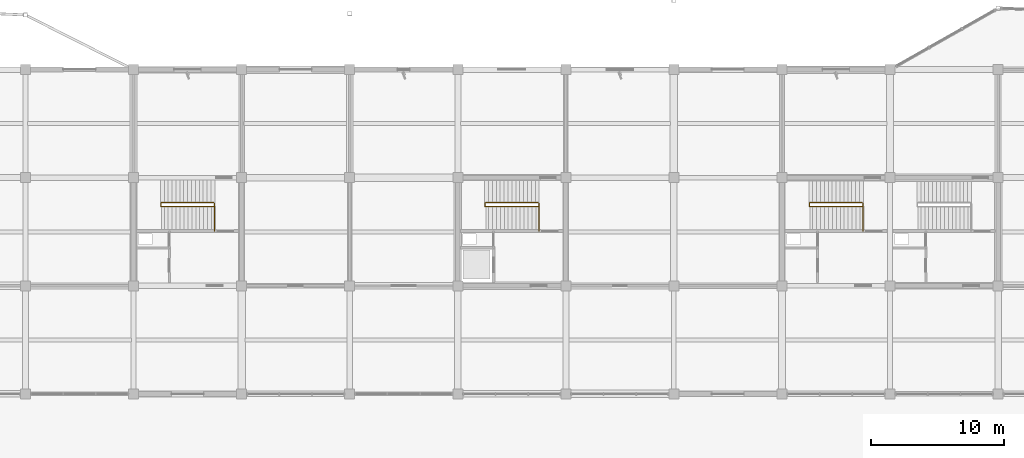
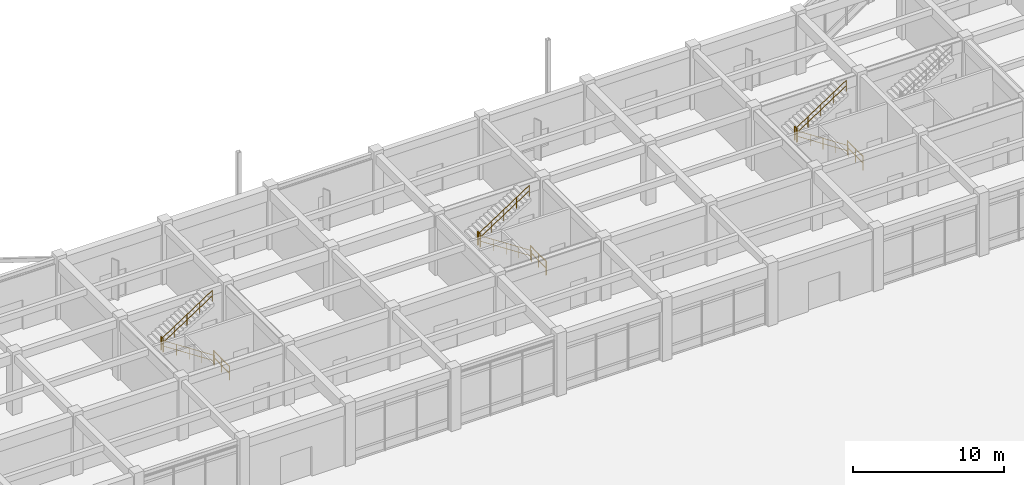
# One storey, part 93 of 99: 12 railings.
"""IFC4 building model written with IfcOpenShell, lengths in metres."""

from ifc_helpers import new_model, si_unit, direction, frame, origin, origin_2d, place, context, subcontext, project, spatial, circle, extrude, material, type_object, element, save


model = new_model("IFC4")

# Units and contexts
model_context = context("Model", 3, precision=1e-05, world=origin(), true_north=direction((0.0, 1.0)))
body_context = subcontext(model_context, "Body", "Model", "MODEL_VIEW")
ifc_project = project(units=[si_unit("LENGTHUNIT", "METRE"), si_unit("AREAUNIT", "SQUARE_METRE"), si_unit("VOLUMEUNIT", "CUBIC_METRE"), si_unit("PLANEANGLEUNIT", "RADIAN"), si_unit("MASSUNIT", "GRAM", prefix="KILO")], contexts=[model_context])

# Site, building, storey
site_placement = place(None, origin())
site = spatial("IfcSite", under=ifc_project, at=site_placement, CompositionType="ELEMENT")
building_placement = place(site_placement, origin())
building = spatial("IfcBuilding", under=site, at=building_placement, Name="Vaudrelin Polytechnic", CompositionType="ELEMENT")
storey_placement = place(building_placement, origin())
storey = spatial("IfcBuildingStorey", under=building, at=storey_placement, Name="L00", CompositionType="ELEMENT", Elevation=0.0)

# Railings
ifc_material = material(Name="Brushed stainless steel AISI 304", Category="steel")
railing_type_1 = type_object("IfcRailingType", Name="RAL-GR-INT", PredefinedType="GUARDRAIL", material=ifc_material)
railing_1_placement = place(storey_placement, frame((87.080078125, 109.409912109375, 0.0)))
element("IfcRailing", 1, at=railing_1_placement, inside=storey, type_object=railing_type_1, Name="ST-02-B1 upper well guardrail", PredefinedType="GUARDRAIL", context=body_context, shape_type="SweptSolid", body=[
    extrude(circle(Radius=0.02392578125, at=origin_2d()), frame((0.0, 0.023193359375, 1.09619140625), z_axis=(0.0, 1.0, 0.0), x_axis=(-1.0, 0.0, 0.0)), (0.0, 0.0, 1.0), 2.02392578125),
    extrude(circle(Radius=0.02392578125, at=origin_2d()), frame((0.0, 0.023193359375, 0.56005859375), z_axis=(0.0, 1.0, 0.0), x_axis=(-1.0, 0.0, 0.0)), (0.0, 0.0, 1.0), 2.02392578125),
    extrude(circle(Radius=0.02099609375, at=origin_2d()), origin(), (0.0, 0.0, 1.0), 1.1201171875),
    extrude(circle(Radius=0.02099609375, at=origin_2d()), frame((0.0, 1.03515625, 0.0)), (0.0, 0.0, 1.0), 1.1201171875),
    extrude(circle(Radius=0.02099609375, at=origin_2d()), frame((0.0, 2.070068359375, 0.0)), (0.0, 0.0, 1.0), 1.1201171875),
])
railing_2_placement = place(storey_placement, frame((83.050048828125, 111.239990234375, 2.550048828125)))
element("IfcRailing", 2, at=railing_2_placement, inside=storey, type_object=railing_type_1, Name="ST-02-L00 landing well guardrail", PredefinedType="GUARDRAIL", context=body_context, shape_type="SweptSolid", body=[
    extrude(circle(Radius=0.02392578125, at=origin_2d()), frame((0.0, 0.023193359375, 1.09619140625), z_axis=(0.0, 1.0, 0.0), x_axis=(-1.0, 0.0, 0.0)), (0.0, 0.0, 1.0), 0.23388671875),
    extrude(circle(Radius=0.02392578125, at=origin_2d()), frame((0.0, 0.023193359375, 0.56005859375), z_axis=(0.0, 1.0, 0.0), x_axis=(-1.0, 0.0, 0.0)), (0.0, 0.0, 1.0), 0.23388671875),
    extrude(circle(Radius=0.02099609375, at=origin_2d()), origin(), (0.0, 0.0, 1.0), 1.1201171875),
    extrude(circle(Radius=0.02099609375, at=origin_2d()), frame((0.0, 0.280029296875, 0.0)), (0.0, 0.0, 1.0), 1.1201171875),
])
railing_3_placement = place(storey_placement, frame((62.780029296875, 109.409912109375, 0.0)))
element("IfcRailing", 3, at=railing_3_placement, inside=storey, type_object=railing_type_1, Name="ST-09-B1 upper well guardrail", PredefinedType="GUARDRAIL", context=body_context, shape_type="SweptSolid", body=[
    extrude(circle(Radius=0.02392578125, at=origin_2d()), frame((0.0, 0.023193359375, 1.09619140625), z_axis=(0.0, 1.0, 0.0), x_axis=(-1.0, 0.0, 0.0)), (0.0, 0.0, 1.0), 2.02392578125),
    extrude(circle(Radius=0.02392578125, at=origin_2d()), frame((0.0, 0.023193359375, 0.56005859375), z_axis=(0.0, 1.0, 0.0), x_axis=(-1.0, 0.0, 0.0)), (0.0, 0.0, 1.0), 2.02392578125),
    extrude(circle(Radius=0.02099609375, at=origin_2d()), origin(), (0.0, 0.0, 1.0), 1.1201171875),
    extrude(circle(Radius=0.02099609375, at=origin_2d()), frame((0.0, 1.03515625, 0.0)), (0.0, 0.0, 1.0), 1.1201171875),
    extrude(circle(Radius=0.02099609375, at=origin_2d()), frame((0.0, 2.070068359375, 0.0)), (0.0, 0.0, 1.0), 1.1201171875),
])
railing_4_placement = place(storey_placement, frame((58.75, 111.239990234375, 2.550048828125)))
element("IfcRailing", 4, at=railing_4_placement, inside=storey, type_object=railing_type_1, Name="ST-09-L00 landing well guardrail", PredefinedType="GUARDRAIL", context=body_context, shape_type="SweptSolid", body=[
    extrude(circle(Radius=0.02392578125, at=origin_2d()), frame((0.0, 0.023193359375, 1.09619140625), z_axis=(0.0, 1.0, 0.0), x_axis=(-1.0, 0.0, 0.0)), (0.0, 0.0, 1.0), 0.23388671875),
    extrude(circle(Radius=0.02392578125, at=origin_2d()), frame((0.0, 0.023193359375, 0.56005859375), z_axis=(0.0, 1.0, 0.0), x_axis=(-1.0, 0.0, 0.0)), (0.0, 0.0, 1.0), 0.23388671875),
    extrude(circle(Radius=0.02099609375, at=origin_2d()), origin(), (0.0, 0.0, 1.0), 1.1201171875),
    extrude(circle(Radius=0.02099609375, at=origin_2d()), frame((0.0, 0.280029296875, 0.0)), (0.0, 0.0, 1.0), 1.1201171875),
])
railing_5_placement = place(storey_placement, frame((111.3798828125, 109.409912109375, 0.0)))
element("IfcRailing", 5, at=railing_5_placement, inside=storey, type_object=railing_type_1, Name="ST-11-B1 upper well guardrail", PredefinedType="GUARDRAIL", context=body_context, shape_type="SweptSolid", body=[
    extrude(circle(Radius=0.02392578125, at=origin_2d()), frame((0.0, 0.023193359375, 1.09619140625), z_axis=(0.0, 1.0, 0.0), x_axis=(-1.0, 0.0, 0.0)), (0.0, 0.0, 1.0), 2.02392578125),
    extrude(circle(Radius=0.02392578125, at=origin_2d()), frame((0.0, 0.023193359375, 0.56005859375), z_axis=(0.0, 1.0, 0.0), x_axis=(-1.0, 0.0, 0.0)), (0.0, 0.0, 1.0), 2.02392578125),
    extrude(circle(Radius=0.02099609375, at=origin_2d()), origin(), (0.0, 0.0, 1.0), 1.1201171875),
    extrude(circle(Radius=0.02099609375, at=origin_2d()), frame((0.0, 1.03515625, 0.0)), (0.0, 0.0, 1.0), 1.1201171875),
    extrude(circle(Radius=0.02099609375, at=origin_2d()), frame((0.0, 2.070068359375, 0.0)), (0.0, 0.0, 1.0), 1.1201171875),
])
railing_6_placement = place(storey_placement, frame((107.35009765625, 111.239990234375, 2.550048828125)))
element("IfcRailing", 6, at=railing_6_placement, inside=storey, type_object=railing_type_1, Name="ST-11-L00 landing well guardrail", PredefinedType="GUARDRAIL", context=body_context, shape_type="SweptSolid", body=[
    extrude(circle(Radius=0.02392578125, at=origin_2d()), frame((0.0, 0.023193359375, 1.09619140625), z_axis=(0.0, 1.0, 0.0), x_axis=(-1.0, 0.0, 0.0)), (0.0, 0.0, 1.0), 0.23388671875),
    extrude(circle(Radius=0.02392578125, at=origin_2d()), frame((0.0, 0.023193359375, 0.56005859375), z_axis=(0.0, 1.0, 0.0), x_axis=(-1.0, 0.0, 0.0)), (0.0, 0.0, 1.0), 0.23388671875),
    extrude(circle(Radius=0.02099609375, at=origin_2d()), origin(), (0.0, 0.0, 1.0), 1.1201171875),
    extrude(circle(Radius=0.02099609375, at=origin_2d()), frame((0.0, 0.280029296875, 0.0)), (0.0, 0.0, 1.0), 1.1201171875),
])
railing_type_2 = type_object("IfcRailingType", Name="RAL-HR-STR", PredefinedType="HANDRAIL", material=ifc_material)
railing_7_placement = place(storey_placement, frame((87.0, 111.22998046875, 0.0)))
element("IfcRailing", 7, at=railing_7_placement, inside=storey, type_object=railing_type_2, Name="ST-02-L00 flight 1 handrail", PredefinedType="HANDRAIL", context=body_context, shape_type="SweptSolid", body=[
    extrude(circle(Radius=0.02392578125, at=origin_2d()), frame((-0.019287109375, 0.0, 0.908447265625), z_axis=(-0.83631341276, 0.0, 0.548251653566), x_axis=(0.0, -1.0, 0.0)), (0.0, 0.0, 1.0), 4.60498046875),
    extrude(circle(Radius=0.02392578125, at=origin_2d()), frame((-0.019287109375, 0.0, 0.47265625), z_axis=(-0.83631341276, 0.0, 0.548251653566), x_axis=(0.0, -1.0, 0.0)), (0.0, 0.0, 1.0), 4.60498046875),
    extrude(circle(Radius=0.02099609375, at=origin_2d()), origin(), (0.0, 0.0, 1.0), 0.919921875),
    extrude(circle(Radius=0.02099609375, at=origin_2d()), frame((-0.972412109375, 0.0, 0.637451171875)), (0.0, 0.0, 1.0), 0.919921875),
    extrude(circle(Radius=0.02099609375, at=origin_2d()), frame((-1.94482421875, 0.0, 1.27490234375)), (0.0, 0.0, 1.0), 0.919921875),
    extrude(circle(Radius=0.02099609375, at=origin_2d()), frame((-2.91748046875, 0.0, 1.91259765625)), (0.0, 0.0, 1.0), 0.919921875),
    extrude(circle(Radius=0.02099609375, at=origin_2d()), frame((-3.889892578125, 0.0, 2.550048828125)), (0.0, 0.0, 1.0), 0.919921875),
])
railing_8_placement = place(storey_placement, frame((83.110107421875, 111.530029296875, 2.550048828125)))
element("IfcRailing", 8, at=railing_8_placement, inside=storey, type_object=railing_type_2, Name="ST-02-L00 flight 2 handrail", PredefinedType="HANDRAIL", context=body_context, shape_type="SweptSolid", body=[
    extrude(circle(Radius=0.02392578125, at=origin_2d()), frame((0.019287109375, 0.0, 0.908447265625), z_axis=(0.83631341276, 0.0, 0.548251653566), x_axis=(0.0, 1.0, 0.0)), (0.0, 0.0, 1.0), 4.60498046875),
    extrude(circle(Radius=0.02392578125, at=origin_2d()), frame((0.019287109375, 0.0, 0.47265625), z_axis=(0.83631341276, 0.0, 0.548251653566), x_axis=(0.0, 1.0, 0.0)), (0.0, 0.0, 1.0), 4.60498046875),
    extrude(circle(Radius=0.02099609375, at=origin_2d()), origin(), (0.0, 0.0, 1.0), 0.919921875),
    extrude(circle(Radius=0.02099609375, at=origin_2d()), frame((0.972412109375, 0.0, 0.637451171875)), (0.0, 0.0, 1.0), 0.919921875),
    extrude(circle(Radius=0.02099609375, at=origin_2d()), frame((1.94482421875, 0.0, 1.27490234375)), (0.0, 0.0, 1.0), 0.919921875),
    extrude(circle(Radius=0.02099609375, at=origin_2d()), frame((2.91748046875, 0.0, 1.91259765625)), (0.0, 0.0, 1.0), 0.919921875),
    extrude(circle(Radius=0.02099609375, at=origin_2d()), frame((3.889892578125, 0.0, 2.550048828125)), (0.0, 0.0, 1.0), 0.919921875),
])
railing_9_placement = place(storey_placement, frame((62.699951171875, 111.22998046875, 0.0)))
element("IfcRailing", 9, at=railing_9_placement, inside=storey, type_object=railing_type_2, Name="ST-09-L00 flight 1 handrail", PredefinedType="HANDRAIL", context=body_context, shape_type="SweptSolid", body=[
    extrude(circle(Radius=0.02392578125, at=origin_2d()), frame((-0.019287109375, 0.0, 0.908447265625), z_axis=(-0.83631341276, 0.0, 0.548251653566), x_axis=(0.0, -1.0, 0.0)), (0.0, 0.0, 1.0), 4.60498046875),
    extrude(circle(Radius=0.02392578125, at=origin_2d()), frame((-0.019287109375, 0.0, 0.47265625), z_axis=(-0.83631341276, 0.0, 0.548251653566), x_axis=(0.0, -1.0, 0.0)), (0.0, 0.0, 1.0), 4.60498046875),
    extrude(circle(Radius=0.02099609375, at=origin_2d()), origin(), (0.0, 0.0, 1.0), 0.919921875),
    extrude(circle(Radius=0.02099609375, at=origin_2d()), frame((-0.972412109375, 0.0, 0.637451171875)), (0.0, 0.0, 1.0), 0.919921875),
    extrude(circle(Radius=0.02099609375, at=origin_2d()), frame((-1.94482421875, 0.0, 1.27490234375)), (0.0, 0.0, 1.0), 0.919921875),
    extrude(circle(Radius=0.02099609375, at=origin_2d()), frame((-2.91748046875, 0.0, 1.91259765625)), (0.0, 0.0, 1.0), 0.919921875),
    extrude(circle(Radius=0.02099609375, at=origin_2d()), frame((-3.889892578125, 0.0, 2.550048828125)), (0.0, 0.0, 1.0), 0.919921875),
])
railing_10_placement = place(storey_placement, frame((58.81005859375, 111.530029296875, 2.550048828125)))
element("IfcRailing", 10, at=railing_10_placement, inside=storey, type_object=railing_type_2, Name="ST-09-L00 flight 2 handrail", PredefinedType="HANDRAIL", context=body_context, shape_type="SweptSolid", body=[
    extrude(circle(Radius=0.02392578125, at=origin_2d()), frame((0.019287109375, 0.0, 0.908447265625), z_axis=(0.83631341276, 0.0, 0.548251653566), x_axis=(0.0, 1.0, 0.0)), (0.0, 0.0, 1.0), 4.60498046875),
    extrude(circle(Radius=0.02392578125, at=origin_2d()), frame((0.019287109375, 0.0, 0.47265625), z_axis=(0.83631341276, 0.0, 0.548251653566), x_axis=(0.0, 1.0, 0.0)), (0.0, 0.0, 1.0), 4.60498046875),
    extrude(circle(Radius=0.02099609375, at=origin_2d()), origin(), (0.0, 0.0, 1.0), 0.919921875),
    extrude(circle(Radius=0.02099609375, at=origin_2d()), frame((0.972412109375, 0.0, 0.637451171875)), (0.0, 0.0, 1.0), 0.919921875),
    extrude(circle(Radius=0.02099609375, at=origin_2d()), frame((1.94482421875, 0.0, 1.27490234375)), (0.0, 0.0, 1.0), 0.919921875),
    extrude(circle(Radius=0.02099609375, at=origin_2d()), frame((2.91748046875, 0.0, 1.91259765625)), (0.0, 0.0, 1.0), 0.919921875),
    extrude(circle(Radius=0.02099609375, at=origin_2d()), frame((3.889892578125, 0.0, 2.550048828125)), (0.0, 0.0, 1.0), 0.919921875),
])
railing_11_placement = place(storey_placement, frame((111.300048828125, 111.22998046875, 0.0)))
element("IfcRailing", 11, at=railing_11_placement, inside=storey, type_object=railing_type_2, Name="ST-11-L00 flight 1 handrail", PredefinedType="HANDRAIL", context=body_context, shape_type="SweptSolid", body=[
    extrude(circle(Radius=0.02392578125, at=origin_2d()), frame((-0.019287109375, 0.0, 0.908447265625), z_axis=(-0.836329188974, 0.0, 0.548227587476), x_axis=(0.0, -1.0, 0.0)), (0.0, 0.0, 1.0), 4.605224609375),
    extrude(circle(Radius=0.02392578125, at=origin_2d()), frame((-0.019287109375, 0.0, 0.47265625), z_axis=(-0.836329188974, 0.0, 0.548227587476), x_axis=(0.0, -1.0, 0.0)), (0.0, 0.0, 1.0), 4.605224609375),
    extrude(circle(Radius=0.02099609375, at=origin_2d()), origin(), (0.0, 0.0, 1.0), 0.919921875),
    extrude(circle(Radius=0.02099609375, at=origin_2d()), frame((-0.97265625, 0.0, 0.637451171875)), (0.0, 0.0, 1.0), 0.919921875),
    extrude(circle(Radius=0.02099609375, at=origin_2d()), frame((-1.945068359375, 0.0, 1.27490234375)), (0.0, 0.0, 1.0), 0.919921875),
    extrude(circle(Radius=0.02099609375, at=origin_2d()), frame((-2.91748046875, 0.0, 1.91259765625)), (0.0, 0.0, 1.0), 0.919921875),
    extrude(circle(Radius=0.02099609375, at=origin_2d()), frame((-3.89013671875, 0.0, 2.550048828125)), (0.0, 0.0, 1.0), 0.919921875),
])
railing_12_placement = place(storey_placement, frame((107.409912109375, 111.530029296875, 2.550048828125)))
element("IfcRailing", 12, at=railing_12_placement, inside=storey, type_object=railing_type_2, Name="ST-11-L00 flight 2 handrail", PredefinedType="HANDRAIL", context=body_context, shape_type="SweptSolid", body=[
    extrude(circle(Radius=0.02392578125, at=origin_2d()), frame((0.019287109375, 0.0, 0.908447265625), z_axis=(0.836329188974, 0.0, 0.548227587476), x_axis=(0.0, 1.0, 0.0)), (0.0, 0.0, 1.0), 4.605224609375),
    extrude(circle(Radius=0.02392578125, at=origin_2d()), frame((0.019287109375, 0.0, 0.47265625), z_axis=(0.836329188974, 0.0, 0.548227587476), x_axis=(0.0, 1.0, 0.0)), (0.0, 0.0, 1.0), 4.605224609375),
    extrude(circle(Radius=0.02099609375, at=origin_2d()), origin(), (0.0, 0.0, 1.0), 0.919921875),
    extrude(circle(Radius=0.02099609375, at=origin_2d()), frame((0.97265625, 0.0, 0.637451171875)), (0.0, 0.0, 1.0), 0.919921875),
    extrude(circle(Radius=0.02099609375, at=origin_2d()), frame((1.945068359375, 0.0, 1.27490234375)), (0.0, 0.0, 1.0), 0.919921875),
    extrude(circle(Radius=0.02099609375, at=origin_2d()), frame((2.91748046875, 0.0, 1.91259765625)), (0.0, 0.0, 1.0), 0.919921875),
    extrude(circle(Radius=0.02099609375, at=origin_2d()), frame((3.89013671875, 0.0, 2.550048828125)), (0.0, 0.0, 1.0), 0.919921875),
])

save(model, "model.ifc")
